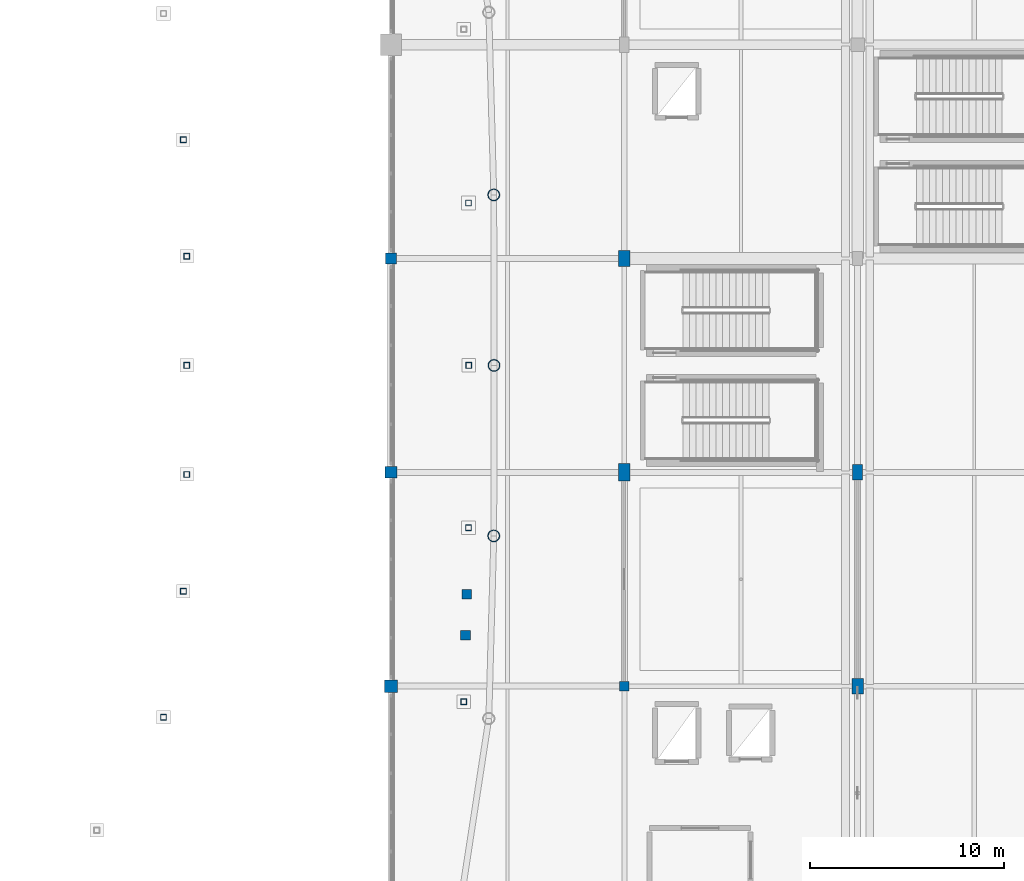
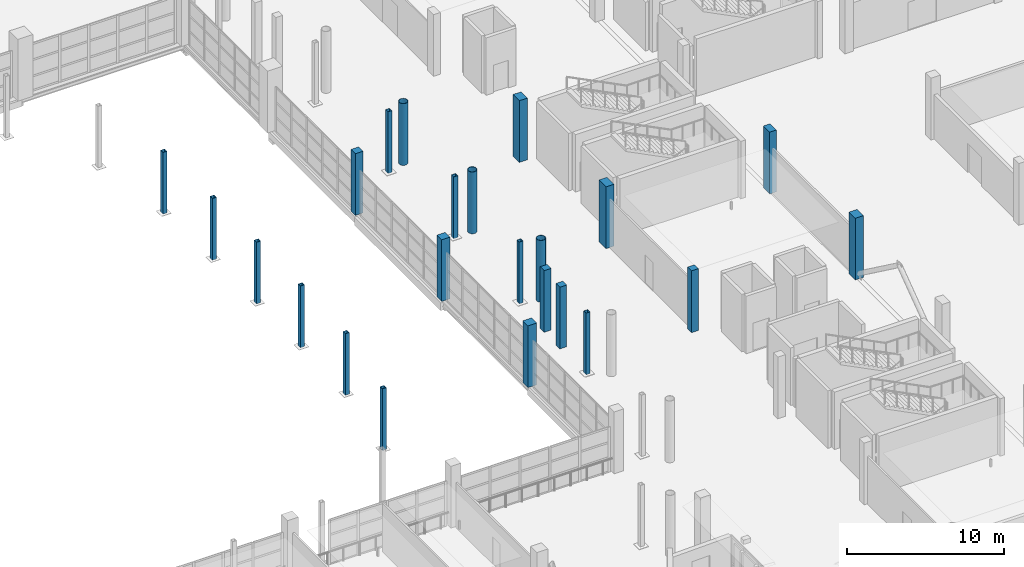
# One storey, part 16 of 143: 23 columns.
"""IFC4 building model written with IfcOpenShell, lengths in metres."""

from ifc_helpers import new_model, si_unit, direction, frame, origin, origin_2d, place, context, subcontext, project, spatial, rectangle, hollow_rectangle, hollow_circle, extrude, material, material_profile, profile_set, type_object, element, save


model = new_model("IFC4")

# Units and contexts
model_context = context("Model", 3, precision=1e-05, world=origin(), true_north=direction((0.0, 1.0)))
body_context = subcontext(model_context, "Body", "Model", "MODEL_VIEW")
ifc_project = project(units=[si_unit("LENGTHUNIT", "METRE"), si_unit("AREAUNIT", "SQUARE_METRE"), si_unit("VOLUMEUNIT", "CUBIC_METRE"), si_unit("PLANEANGLEUNIT", "RADIAN"), si_unit("MASSUNIT", "GRAM", prefix="KILO")], contexts=[model_context])

# Site, building, storey
site_placement = place(None, origin())
site = spatial("IfcSite", under=ifc_project, at=site_placement, CompositionType="ELEMENT")
building_placement = place(site_placement, origin())
building = spatial("IfcBuilding", under=site, at=building_placement, Name="Luwafu Chhajja Arena", CompositionType="ELEMENT")
storey_placement = place(building_placement, frame((0.0, 0.0, 5.39990234375)))
storey = spatial("IfcBuildingStorey", under=building, at=storey_placement, Name="L01", CompositionType="ELEMENT", Elevation=5.39990234375)

# Columns
ifc_material_1 = material(Name="Concrete C35/45", Category="concrete")
ifc_material_profile_1 = material_profile(ifc_material_1, rectangle(XDim=0.5, YDim=0.800048828125, at=origin_2d()), Name="RC 500x800")
ifc_profile_set_1 = profile_set([ifc_material_profile_1], Name="Concrete C35/45")
column_type_1 = type_object("IfcColumnType", Name="BOH Frame Column RC 500x800", PredefinedType="COLUMN", material=ifc_profile_set_1)
column_1_placement = place(storey_placement, frame((164.0, 44.0, 0.0), z_axis=(0.0, 0.0, 1.0), x_axis=(1.0, 0.0, 0.0)))
element("IfcColumn", 1, at=column_1_placement, inside=storey, type_object=column_type_1, Name="L01 Grid Column 15/E", PredefinedType="COLUMN", context=body_context, shape_type="SweptSolid", body=[
    extrude(rectangle(XDim=0.5, YDim=0.800048828125, at=origin_2d()), origin(), (0.0, 0.0, 1.0), 4.800048828125),
])
ifc_material_profile_2 = material_profile(ifc_material_1, rectangle(XDim=0.550048828125, YDim=0.550048828125, at=origin_2d()), Name="RC 550x550")
ifc_profile_set_2 = profile_set([ifc_material_profile_2], Name="Concrete C35/45")
column_type_2 = type_object("IfcColumnType", Name="Gallery Column RC 550", PredefinedType="COLUMN", material=ifc_profile_set_2)
column_2_placement = place(storey_placement, frame((140.0, 55.0, 0.0), z_axis=(0.0, 0.0, 1.0), x_axis=(1.0, 0.0, 0.0)))
element("IfcColumn", 2, at=column_2_placement, inside=storey, type_object=column_type_2, Name="L01 Grid Column 13/F", PredefinedType="COLUMN", context=body_context, shape_type="SweptSolid", body=[
    extrude(rectangle(XDim=0.550048828125, YDim=0.550048828125, at=origin_2d()), origin(), (0.0, 0.0, 1.0), 4.800048828125),
])
ifc_material_profile_3 = material_profile(ifc_material_1, rectangle(XDim=0.60009765625, YDim=0.60009765625, at=origin_2d()), Name="RC 600x600")
ifc_profile_set_3 = profile_set([ifc_material_profile_3], Name="Concrete C35/45")
column_type_3 = type_object("IfcColumnType", Name="Mezzanine Column RC 600", PredefinedType="COLUMN", material=ifc_profile_set_3)
column_3_placement = place(storey_placement, frame((140.0, 44.0, 0.0), z_axis=(0.0, 0.0, 1.0), x_axis=(1.0, 0.0, 0.0)))
element("IfcColumn", 3, at=column_3_placement, inside=storey, type_object=column_type_3, Name="L01 Grid Column 13/E", PredefinedType="COLUMN", context=body_context, shape_type="SweptSolid", body=[
    extrude(rectangle(XDim=0.60009765625, YDim=0.60009765625, at=origin_2d()), origin(), (0.0, 0.0, 1.0), 4.800048828125),
])
ifc_material_profile_4 = material_profile(ifc_material_1, rectangle(XDim=0.5, YDim=0.5, at=origin_2d()), Name="RC 500x500")
ifc_profile_set_4 = profile_set([ifc_material_profile_4], Name="Concrete C35/45")
column_type_4 = type_object("IfcColumnType", Name="Pavilion Column RC 500", PredefinedType="COLUMN", material=ifc_profile_set_4)
for number, where, z_axis, x_axis, name in (
    (4, (152.0, 33.0, 0.0), (0.0, 0.0, 1.0), (1.0, 0.0, 0.0), "L01 Grid Column 14/D"),
    (5, (143.834716796875, 35.626220703125, 0.0), (0.0, 0.0, 1.0), (1.0, 0.0, 0.0), "L01 Vomitory Stack Column VU31A"),
    (6, (143.892822265625, 37.725341796875, 0.0), (0.0, 0.0, 1.0), (1.0, 0.0, 0.0), "L01 Vomitory Stack Column VU31B"),
):
    element("IfcColumn", number, at=place(storey_placement, frame(where, z_axis=z_axis, x_axis=x_axis)), inside=storey, type_object=column_type_4, Name=name, PredefinedType="COLUMN", context=body_context, shape_type="SweptSolid", body=[
        extrude(rectangle(XDim=0.5, YDim=0.5, at=origin_2d()), origin(), (0.0, 0.0, 1.0), 4.800048828125),
    ])
ifc_material_2 = material(Name="Concrete C40/50", Category="concrete")
ifc_material_profile_5 = material_profile(ifc_material_2, rectangle(XDim=0.60009765625, YDim=0.800048828125, at=origin_2d()), Name="RC 600x800")
ifc_profile_set_5 = profile_set([ifc_material_profile_5], Name="Concrete C40/50")
column_type_5 = type_object("IfcColumnType", Name="Pishtaq Pier Column RC 600x800", PredefinedType="COLUMN", material=ifc_profile_set_5)
for number, where, z_axis, x_axis, name in (
    (7, (152.0, 55.0, 0.0), (0.0, 0.0, 1.0), (1.0, 0.0, 0.0), "L01 Grid Column 14/F"),
    (8, (164.0, 33.0, 0.0), (0.0, 0.0, 1.0), (1.0, 0.0, 0.0), "L01 Grid Column 15/D"),
):
    element("IfcColumn", number, at=place(storey_placement, frame(where, z_axis=z_axis, x_axis=x_axis)), inside=storey, type_object=column_type_5, Name=name, PredefinedType="COLUMN", context=body_context, shape_type="SweptSolid", body=[
        extrude(rectangle(XDim=0.60009765625, YDim=0.800048828125, at=origin_2d()), origin(), (0.0, 0.0, 1.0), 4.800048828125),
    ])
ifc_material_3 = material(Name="Steel S355", Category="steel")
ifc_material_profile_6 = material_profile(ifc_material_3, hollow_circle(Radius=0.304931640625, WallThickness=0.02490234375, at=origin_2d()), Name="CHS 610x25")
ifc_profile_set_6 = profile_set([ifc_material_profile_6], Name="Steel S355")
column_type_6 = type_object("IfcColumnType", Name="Steel Bowl Drum Column CHS 610", PredefinedType="COLUMN", material=ifc_profile_set_6)
for number, where, z_axis, x_axis, name in (
    (9, (145.300048828125, 49.5, 0.0), (0.0, 0.0, 1.0), (1.0, 0.0, 0.0), "L01 Bowl Drum Column D01"),
    (10, (145.28759765625, 58.269775390625, 0.0), (0.0, 0.0, 1.0), (1.0, 0.0, 0.0), "L01 Bowl Drum Column D02"),
    (11, (145.28759765625, 40.730224609375, 0.0), (0.0, 0.0, 1.0), (1.0, 0.0, 0.0), "L01 Bowl Drum Column D32"),
):
    element("IfcColumn", number, at=place(storey_placement, frame(where, z_axis=z_axis, x_axis=x_axis)), inside=storey, type_object=column_type_6, Name=name, PredefinedType="COLUMN", context=body_context, shape_type="SweptSolid", body=[
        extrude(hollow_circle(Radius=0.304931640625, WallThickness=0.02490234375, at=origin_2d()), origin(), (0.0, 0.0, 1.0), 4.800048828125),
    ])
ifc_material_profile_7 = material_profile(ifc_material_3, hollow_rectangle(XDim=0.300048828125, YDim=0.300048828125, WallThickness=0.01611328125, at=origin_2d()), Name="SHS 300x300x16")
ifc_profile_set_7 = profile_set([ifc_material_profile_7], Name="Steel S355")
column_type_7 = type_object("IfcColumnType", Name="Steel Gallery Post SHS 300", PredefinedType="COLUMN", material=ifc_profile_set_7)
for number, where, z_axis, x_axis, name in (
    (12, (129.5, 49.5, 0.0), (0.0, 0.0, 1.0), (1.0, 0.0, 0.0), "L01 Upper Bowl Raker Column UI01"),
    (13, (129.49169921875, 55.10791015625, 0.0), (0.0, 0.0, 1.0), (1.0, 0.0, 0.0), "L01 Upper Bowl Raker Column UI02"),
    (14, (129.323486328125, 61.11328125, 0.0), (0.0, 0.0, 1.0), (1.0, 0.0, 0.0), "L01 Upper Bowl Raker Column UI03"),
    (15, (128.298583984375, 31.399658203125, 0.0), (0.0, 0.0, 1.0), (1.0, 0.0, 0.0), "L01 Upper Bowl Raker Column UI30"),
    (16, (129.323486328125, 37.88671875, 0.0), (0.0, 0.0, 1.0), (1.0, 0.0, 0.0), "L01 Upper Bowl Raker Column UI31"),
    (17, (129.49169921875, 43.89208984375, 0.0), (0.0, 0.0, 1.0), (1.0, 0.0, 0.0), "L01 Upper Bowl Raker Column UI32"),
    (18, (144.0, 49.5, 0.0), (0.0, 0.0, 1.0), (1.0, 0.0, 0.0), "L01 Upper Bowl Raker Column UO01"),
    (19, (143.98779296875, 57.85205078125, 0.0), (0.0, 0.0, 1.0), (1.0, 0.0, 0.0), "L01 Upper Bowl Raker Column UO02"),
    (20, (143.739501953125, 32.20361328125, 0.0), (0.0, 0.0, 1.0), (1.0, 0.0, 0.0), "L01 Upper Bowl Raker Column UO31"),
    (21, (143.98779296875, 41.14794921875, 0.0), (0.0, 0.0, 1.0), (1.0, 0.0, 0.0), "L01 Upper Bowl Raker Column UO32"),
):
    element("IfcColumn", number, at=place(storey_placement, frame(where, z_axis=z_axis, x_axis=x_axis)), inside=storey, type_object=column_type_7, Name=name, PredefinedType="COLUMN", context=body_context, shape_type="SweptSolid", body=[
        extrude(hollow_rectangle(XDim=0.300048828125, YDim=0.300048828125, WallThickness=0.01611328125, at=origin_2d()), origin(), (0.0, 0.0, 1.0), 4.800048828125),
    ])
ifc_material_profile_8 = material_profile(ifc_material_1, rectangle(XDim=0.64990234375, YDim=0.64990234375, at=origin_2d()), Name="RC 650x650")
ifc_profile_set_8 = profile_set([ifc_material_profile_8], Name="Concrete C35/45")
column_type_8 = type_object("IfcColumnType", Name="Upper Wing Column RC 650", PredefinedType="COLUMN", material=ifc_profile_set_8)
column_4_placement = place(storey_placement, frame((140.0, 33.0, 0.0), z_axis=(0.0, 0.0, 1.0), x_axis=(1.0, 0.0, 0.0)))
element("IfcColumn", 22, at=column_4_placement, inside=storey, type_object=column_type_8, Name="L01 Grid Column 13/D", PredefinedType="COLUMN", context=body_context, shape_type="SweptSolid", body=[
    extrude(rectangle(XDim=0.64990234375, YDim=0.64990234375, at=origin_2d()), origin(), (0.0, 0.0, 1.0), 4.800048828125),
])
ifc_material_profile_9 = material_profile(ifc_material_2, rectangle(XDim=0.60009765625, YDim=0.89990234375, at=origin_2d()), Name="RC 600x900")
ifc_profile_set_9 = profile_set([ifc_material_profile_9], Name="Concrete C40/50")
column_type_9 = type_object("IfcColumnType", Name="Warm-Up Hall Portal Column RC 600x900", PredefinedType="COLUMN", material=ifc_profile_set_9)
column_5_placement = place(storey_placement, frame((152.0, 44.0, 0.0), z_axis=(0.0, 0.0, 1.0), x_axis=(1.0, 0.0, 0.0)))
element("IfcColumn", 23, at=column_5_placement, inside=storey, type_object=column_type_9, Name="L01 Grid Column 14/E", PredefinedType="COLUMN", context=body_context, shape_type="SweptSolid", body=[
    extrude(rectangle(XDim=0.60009765625, YDim=0.89990234375, at=origin_2d()), origin(), (0.0, 0.0, 1.0), 4.800048828125),
])

save(model, "model.ifc")
